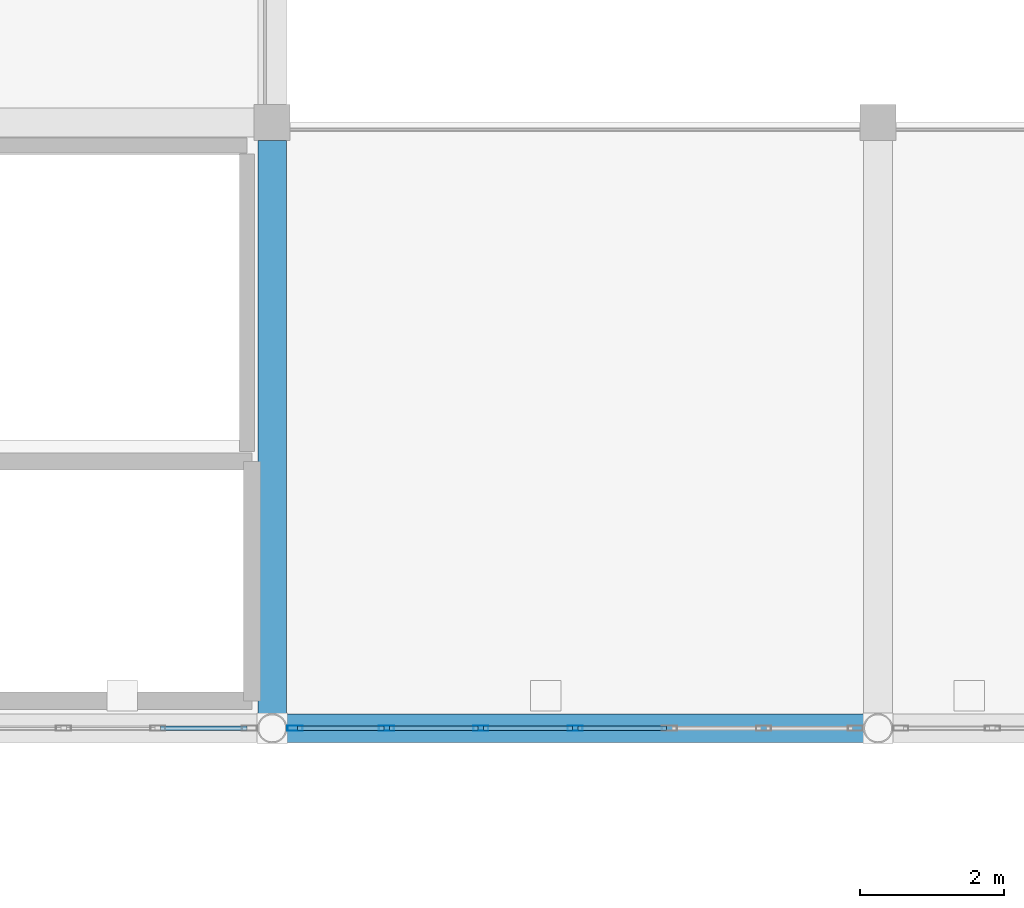
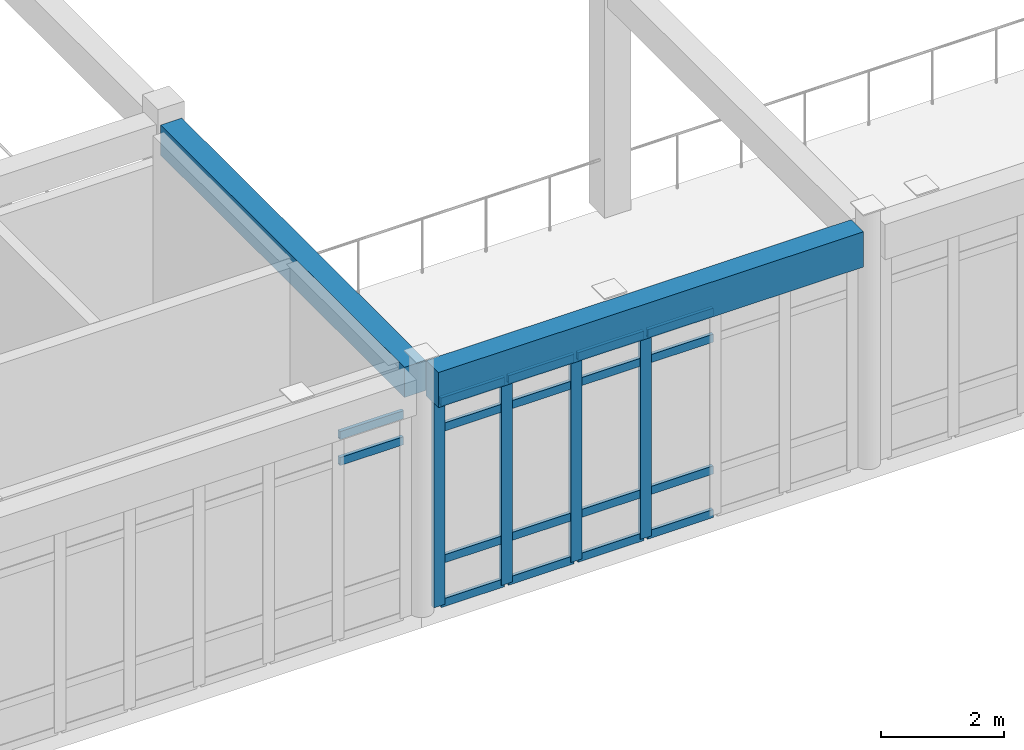
# One storey, part 10 of 134: 22 members, 2 beams, 2 elements without a shape of their own.
"""IFC4 building model written with IfcOpenShell, lengths in metres."""

from ifc_helpers import new_model, si_unit, direction, frame, origin, origin_2d, place, context, subcontext, project, spatial, rectangle, hollow_rectangle, extrude, material, layer, layer_set, material_profile, profile_set, type_object, element, aggregate, save


model = new_model("IFC4")

# Units and contexts
model_context = context("Model", 3, precision=1e-05, world=origin(), true_north=direction((0.0, 1.0)))
body_context = subcontext(model_context, "Body", "Model", "MODEL_VIEW")
ifc_project = project(units=[si_unit("LENGTHUNIT", "METRE"), si_unit("AREAUNIT", "SQUARE_METRE"), si_unit("VOLUMEUNIT", "CUBIC_METRE"), si_unit("PLANEANGLEUNIT", "RADIAN"), si_unit("MASSUNIT", "GRAM", prefix="KILO")], contexts=[model_context])

# Site, building, storey
site_placement = place(None, origin())
site = spatial("IfcSite", under=ifc_project, at=site_placement, CompositionType="ELEMENT")
building_placement = place(site_placement, origin())
building = spatial("IfcBuilding", under=site, at=building_placement, Name="Bramfleet General Hospital", CompositionType="ELEMENT")
storey_placement = place(building_placement, frame((0.0, 0.0, 9.300048828125)))
storey = spatial("IfcBuildingStorey", under=building, at=storey_placement, Name="L02", CompositionType="ELEMENT", Elevation=9.300048828125)

# Beams
ifc_material_1 = material(Name="Concrete C35/45", Category="concrete")
ifc_material_profile_1 = material_profile(ifc_material_1, rectangle(XDim=0.39990234375, YDim=0.60009765625, at=origin_2d()), Name="RC BM 600x400")
ifc_profile_set_1 = profile_set([ifc_material_profile_1], Name="Concrete C35/45")
beam_type_1 = type_object("IfcBeamType", Name="BM-RC600", PredefinedType="BEAM", material=ifc_profile_set_1)
beam_1_placement = place(storey_placement, frame((58.800048828125, 17.003173828125, 4.47998046875), z_axis=(0.0, 1.0, 0.0), x_axis=(-1.0, 0.0, 0.0)))
element("IfcBeam", 1, at=beam_1_placement, inside=storey, type_object=beam_type_1, Name="L02 Grid Beam Y 07-02", PredefinedType="BEAM", context=body_context, shape_type="SweptSolid", body=[
    extrude(rectangle(XDim=0.39990234375, YDim=0.60009765625, at=origin_2d()), origin(), (0.0, 0.0, 1.0), 7.94677734375),
])
ifc_material_profile_2 = material_profile(ifc_material_1, rectangle(XDim=0.39990234375, YDim=0.699951171875, at=origin_2d()), Name="RC SP 700x400")
ifc_profile_set_2 = profile_set([ifc_material_profile_2], Name="Concrete C35/45")
beam_type_2 = type_object("IfcBeamType", Name="BM-SP700", PredefinedType="SPANDREL", material=ifc_profile_set_2)
beam_2_placement = place(storey_placement, frame((59.003173828125, 16.800048828125, 4.429931640625), z_axis=(1.0, 0.0, 0.0), x_axis=(0.0, 1.0, 0.0)))
element("IfcBeam", 2, at=beam_2_placement, inside=storey, type_object=beam_type_2, Name="L02 Grid Beam X 07-02", PredefinedType="SPANDREL", context=body_context, shape_type="SweptSolid", body=[
    extrude(rectangle(XDim=0.39990234375, YDim=0.699951171875, at=origin_2d()), origin(), (0.0, 0.0, 1.0), 7.99365234375),
])

# Curtain wall, members
ifc_material_2 = material(Name="Anodised aluminium and low-E triple glazing", Category="aluminium")
ifc_layer_1 = layer(ifc_material_2, 0.179931640625, Name="CWT-CW-06")
ifc_layer_set_1 = layer_set([ifc_layer_1], Name="Anodised aluminium and low-E triple glazing")
curtain_wall_type_1 = type_object("IfcCurtainWallType", Name="CWT-CW-06", PredefinedType="USERDEFINED", material=ifc_layer_set_1)
curtain_wall_1_placement = place(storey_placement, origin())
curtain_wall_1 = element("IfcCurtainWall", 3, at=curtain_wall_1_placement, inside=storey, type_object=curtain_wall_type_1, Name="L02 Curtain Wall 132", ObjectType="Unitised curtain wall", PredefinedType="USERDEFINED")
ifc_material_3 = material(Name="Anodised aluminium EN AW-6060", Category="aluminium")
ifc_material_profile_3 = material_profile(ifc_material_3, hollow_rectangle(XDim=0.074951171875, YDim=0.2099609375, WallThickness=0.00439453125, at=origin_2d()), Name="ALU 210x75x4.5")
ifc_profile_set_3 = profile_set([ifc_material_profile_3], Name="Anodised aluminium EN AW-6060")
member_type_1 = type_object("IfcMemberType", Name="CWM-ALU210", PredefinedType="MULLION", material=ifc_profile_set_3)
member_1_placement = place(storey_placement, frame((63.0, 16.800048828125, 0.0), z_axis=(0.0, 0.0, 1.0), x_axis=(0.0, -1.0, 0.0)))
member_1 = element("IfcMember", 4, at=member_1_placement, type_object=member_type_1, Name="CW-06 mullion 4", PredefinedType="MULLION", context=body_context, shape_type="SweptSolid", body=[
    extrude(hollow_rectangle(XDim=0.074951171875, YDim=0.2099609375, WallThickness=0.00439453125, at=origin_2d()), origin(), (0.0, 0.0, 1.0), 4.070068359375),
])
member_2_placement = place(storey_placement, frame((61.692626953125, 16.800048828125, 0.0), z_axis=(0.0, 0.0, 1.0), x_axis=(0.0, -1.0, 0.0)))
member_2 = element("IfcMember", 5, at=member_2_placement, type_object=member_type_1, Name="CW-06 mullion 5", PredefinedType="MULLION", context=body_context, shape_type="SweptSolid", body=[
    extrude(hollow_rectangle(XDim=0.074951171875, YDim=0.2099609375, WallThickness=0.00439453125, at=origin_2d()), origin(), (0.0, 0.0, 1.0), 4.070068359375),
])
member_3_placement = place(storey_placement, frame((60.38525390625, 16.800048828125, 0.0), z_axis=(0.0, 0.0, 1.0), x_axis=(0.0, -1.0, 0.0)))
member_3 = element("IfcMember", 6, at=member_3_placement, type_object=member_type_1, Name="CW-06 mullion 6", PredefinedType="MULLION", context=body_context, shape_type="SweptSolid", body=[
    extrude(hollow_rectangle(XDim=0.074951171875, YDim=0.2099609375, WallThickness=0.00439453125, at=origin_2d()), origin(), (0.0, 0.0, 1.0), 4.070068359375),
])
member_4_placement = place(storey_placement, frame((59.115478515625, 16.800048828125, 0.0), z_axis=(0.0, 0.0, 1.0), x_axis=(0.0, -1.0, 0.0)))
member_4 = element("IfcMember", 7, at=member_4_placement, type_object=member_type_1, Name="CW-06 mullion 7", PredefinedType="MULLION", context=body_context, shape_type="SweptSolid", body=[
    extrude(hollow_rectangle(XDim=0.074951171875, YDim=0.2099609375, WallThickness=0.00439453125, at=origin_2d()), origin(), (0.0, 0.0, 1.0), 4.070068359375),
])
ifc_material_profile_4 = material_profile(ifc_material_3, hollow_rectangle(XDim=0.06494140625, YDim=0.159912109375, WallThickness=0.00390625, at=origin_2d()), Name="ALU 160x65x4.0")
ifc_profile_set_4 = profile_set([ifc_material_profile_4], Name="Anodised aluminium EN AW-6060")
member_type_2 = type_object("IfcMemberType", Name="CWT-ALU160", PredefinedType="USERDEFINED", material=ifc_profile_set_4)
member_5_placement = place(storey_placement, frame((64.269775390625, 16.800048828125, 0.032470703125), z_axis=(-1.0, 0.0, 0.0), x_axis=(0.0, -1.0, 0.0)))
member_5 = element("IfcMember", 8, at=member_5_placement, type_object=member_type_2, Name="CW-06 transom 3.1", ObjectType="TRANSOM", PredefinedType="USERDEFINED", context=body_context, shape_type="SweptSolid", body=[
    extrude(hollow_rectangle(XDim=0.06494140625, YDim=0.159912109375, WallThickness=0.00390625, at=origin_2d()), origin(), (0.0, 0.0, 1.0), 1.232177734375),
])
member_6_placement = place(storey_placement, frame((64.269775390625, 16.800048828125, 0.89990234375), z_axis=(-1.0, 0.0, 0.0), x_axis=(0.0, -1.0, 0.0)))
member_6 = element("IfcMember", 9, at=member_6_placement, type_object=member_type_2, Name="CW-06 transom 3.2", ObjectType="TRANSOM", PredefinedType="USERDEFINED", context=body_context, shape_type="SweptSolid", body=[
    extrude(hollow_rectangle(XDim=0.06494140625, YDim=0.159912109375, WallThickness=0.00390625, at=origin_2d()), origin(), (0.0, 0.0, 1.0), 1.232177734375),
])
member_7_placement = place(storey_placement, frame((64.269775390625, 16.800048828125, 3.52001953125), z_axis=(-1.0, 0.0, 0.0), x_axis=(0.0, -1.0, 0.0)))
member_7 = element("IfcMember", 10, at=member_7_placement, type_object=member_type_2, Name="CW-06 transom 3.3", ObjectType="TRANSOM", PredefinedType="USERDEFINED", context=body_context, shape_type="SweptSolid", body=[
    extrude(hollow_rectangle(XDim=0.06494140625, YDim=0.159912109375, WallThickness=0.00390625, at=origin_2d()), origin(), (0.0, 0.0, 1.0), 1.232177734375),
])
member_8_placement = place(storey_placement, frame((64.269775390625, 16.800048828125, 4.037353515625), z_axis=(-1.0, 0.0, 0.0), x_axis=(0.0, -1.0, 0.0)))
member_8 = element("IfcMember", 11, at=member_8_placement, type_object=member_type_2, Name="CW-06 transom 3.4", ObjectType="TRANSOM", PredefinedType="USERDEFINED", context=body_context, shape_type="SweptSolid", body=[
    extrude(hollow_rectangle(XDim=0.06494140625, YDim=0.159912109375, WallThickness=0.00390625, at=origin_2d()), origin(), (0.0, 0.0, 1.0), 1.232177734375),
])
member_9_placement = place(storey_placement, frame((62.96240234375, 16.800048828125, 0.032470703125), z_axis=(-1.0, 0.0, 0.0), x_axis=(0.0, -1.0, 0.0)))
member_9 = element("IfcMember", 12, at=member_9_placement, type_object=member_type_2, Name="CW-06 transom 4.1", ObjectType="TRANSOM", PredefinedType="USERDEFINED", context=body_context, shape_type="SweptSolid", body=[
    extrude(hollow_rectangle(XDim=0.06494140625, YDim=0.159912109375, WallThickness=0.00390625, at=origin_2d()), origin(), (0.0, 0.0, 1.0), 1.232177734375),
])
member_10_placement = place(storey_placement, frame((62.96240234375, 16.800048828125, 0.89990234375), z_axis=(-1.0, 0.0, 0.0), x_axis=(0.0, -1.0, 0.0)))
member_10 = element("IfcMember", 13, at=member_10_placement, type_object=member_type_2, Name="CW-06 transom 4.2", ObjectType="TRANSOM", PredefinedType="USERDEFINED", context=body_context, shape_type="SweptSolid", body=[
    extrude(hollow_rectangle(XDim=0.06494140625, YDim=0.159912109375, WallThickness=0.00390625, at=origin_2d()), origin(), (0.0, 0.0, 1.0), 1.232177734375),
])
member_11_placement = place(storey_placement, frame((62.96240234375, 16.800048828125, 3.52001953125), z_axis=(-1.0, 0.0, 0.0), x_axis=(0.0, -1.0, 0.0)))
member_11 = element("IfcMember", 14, at=member_11_placement, type_object=member_type_2, Name="CW-06 transom 4.3", ObjectType="TRANSOM", PredefinedType="USERDEFINED", context=body_context, shape_type="SweptSolid", body=[
    extrude(hollow_rectangle(XDim=0.06494140625, YDim=0.159912109375, WallThickness=0.00390625, at=origin_2d()), origin(), (0.0, 0.0, 1.0), 1.232177734375),
])
member_12_placement = place(storey_placement, frame((62.96240234375, 16.800048828125, 4.037353515625), z_axis=(-1.0, 0.0, 0.0), x_axis=(0.0, -1.0, 0.0)))
member_12 = element("IfcMember", 15, at=member_12_placement, type_object=member_type_2, Name="CW-06 transom 4.4", ObjectType="TRANSOM", PredefinedType="USERDEFINED", context=body_context, shape_type="SweptSolid", body=[
    extrude(hollow_rectangle(XDim=0.06494140625, YDim=0.159912109375, WallThickness=0.00390625, at=origin_2d()), origin(), (0.0, 0.0, 1.0), 1.232177734375),
])
member_13_placement = place(storey_placement, frame((61.6552734375, 16.800048828125, 0.032470703125), z_axis=(-1.0, 0.0, 0.0), x_axis=(0.0, -1.0, 0.0)))
member_13 = element("IfcMember", 16, at=member_13_placement, type_object=member_type_2, Name="CW-06 transom 5.1", ObjectType="TRANSOM", PredefinedType="USERDEFINED", context=body_context, shape_type="SweptSolid", body=[
    extrude(hollow_rectangle(XDim=0.06494140625, YDim=0.159912109375, WallThickness=0.00390625, at=origin_2d()), origin(), (0.0, 0.0, 1.0), 1.232421875),
])
member_14_placement = place(storey_placement, frame((61.6552734375, 16.800048828125, 0.89990234375), z_axis=(-1.0, 0.0, 0.0), x_axis=(0.0, -1.0, 0.0)))
member_14 = element("IfcMember", 17, at=member_14_placement, type_object=member_type_2, Name="CW-06 transom 5.2", ObjectType="TRANSOM", PredefinedType="USERDEFINED", context=body_context, shape_type="SweptSolid", body=[
    extrude(hollow_rectangle(XDim=0.06494140625, YDim=0.159912109375, WallThickness=0.00390625, at=origin_2d()), origin(), (0.0, 0.0, 1.0), 1.232421875),
])
member_15_placement = place(storey_placement, frame((61.6552734375, 16.800048828125, 3.52001953125), z_axis=(-1.0, 0.0, 0.0), x_axis=(0.0, -1.0, 0.0)))
member_15 = element("IfcMember", 18, at=member_15_placement, type_object=member_type_2, Name="CW-06 transom 5.3", ObjectType="TRANSOM", PredefinedType="USERDEFINED", context=body_context, shape_type="SweptSolid", body=[
    extrude(hollow_rectangle(XDim=0.06494140625, YDim=0.159912109375, WallThickness=0.00390625, at=origin_2d()), origin(), (0.0, 0.0, 1.0), 1.232421875),
])
member_16_placement = place(storey_placement, frame((61.6552734375, 16.800048828125, 4.037353515625), z_axis=(-1.0, 0.0, 0.0), x_axis=(0.0, -1.0, 0.0)))
member_16 = element("IfcMember", 19, at=member_16_placement, type_object=member_type_2, Name="CW-06 transom 5.4", ObjectType="TRANSOM", PredefinedType="USERDEFINED", context=body_context, shape_type="SweptSolid", body=[
    extrude(hollow_rectangle(XDim=0.06494140625, YDim=0.159912109375, WallThickness=0.00390625, at=origin_2d()), origin(), (0.0, 0.0, 1.0), 1.232421875),
])
member_17_placement = place(storey_placement, frame((60.347900390625, 16.800048828125, 0.032470703125), z_axis=(-1.0, 0.0, 0.0), x_axis=(0.0, -1.0, 0.0)))
member_17 = element("IfcMember", 20, at=member_17_placement, type_object=member_type_2, Name="CW-06 transom 6.1", ObjectType="TRANSOM", PredefinedType="USERDEFINED", context=body_context, shape_type="SweptSolid", body=[
    extrude(hollow_rectangle(XDim=0.06494140625, YDim=0.159912109375, WallThickness=0.00390625, at=origin_2d()), origin(), (0.0, 0.0, 1.0), 1.19482421875),
])
member_18_placement = place(storey_placement, frame((60.347900390625, 16.800048828125, 0.89990234375), z_axis=(-1.0, 0.0, 0.0), x_axis=(0.0, -1.0, 0.0)))
member_18 = element("IfcMember", 21, at=member_18_placement, type_object=member_type_2, Name="CW-06 transom 6.2", ObjectType="TRANSOM", PredefinedType="USERDEFINED", context=body_context, shape_type="SweptSolid", body=[
    extrude(hollow_rectangle(XDim=0.06494140625, YDim=0.159912109375, WallThickness=0.00390625, at=origin_2d()), origin(), (0.0, 0.0, 1.0), 1.19482421875),
])
member_19_placement = place(storey_placement, frame((60.347900390625, 16.800048828125, 3.52001953125), z_axis=(-1.0, 0.0, 0.0), x_axis=(0.0, -1.0, 0.0)))
member_19 = element("IfcMember", 22, at=member_19_placement, type_object=member_type_2, Name="CW-06 transom 6.3", ObjectType="TRANSOM", PredefinedType="USERDEFINED", context=body_context, shape_type="SweptSolid", body=[
    extrude(hollow_rectangle(XDim=0.06494140625, YDim=0.159912109375, WallThickness=0.00390625, at=origin_2d()), origin(), (0.0, 0.0, 1.0), 1.19482421875),
])
member_20_placement = place(storey_placement, frame((60.347900390625, 16.800048828125, 4.037353515625), z_axis=(-1.0, 0.0, 0.0), x_axis=(0.0, -1.0, 0.0)))
member_20 = element("IfcMember", 23, at=member_20_placement, type_object=member_type_2, Name="CW-06 transom 6.4", ObjectType="TRANSOM", PredefinedType="USERDEFINED", context=body_context, shape_type="SweptSolid", body=[
    extrude(hollow_rectangle(XDim=0.06494140625, YDim=0.159912109375, WallThickness=0.00390625, at=origin_2d()), origin(), (0.0, 0.0, 1.0), 1.19482421875),
])
aggregate(curtain_wall_1, [member_1, member_2, member_3, member_4, member_5, member_6, member_7, member_8, member_9, member_10, member_11, member_12, member_13, member_14, member_15, member_16, member_17, member_18, member_19, member_20])

ifc_layer_2 = layer(ifc_material_2, 0.179931640625, Name="CWT-CW-07")
ifc_layer_set_2 = layer_set([ifc_layer_2], Name="Anodised aluminium and low-E triple glazing")
curtain_wall_type_2 = type_object("IfcCurtainWallType", Name="CWT-CW-07", PredefinedType="USERDEFINED", material=ifc_layer_set_2)
curtain_wall_2_placement = place(storey_placement, origin())
curtain_wall_2 = element("IfcCurtainWall", 24, at=curtain_wall_2_placement, inside=storey, type_object=curtain_wall_type_2, Name="L02 Curtain Wall 133", ObjectType="Unitised curtain wall", PredefinedType="USERDEFINED")
member_21_placement = place(storey_placement, frame((58.447021484375, 16.800048828125, 3.52001953125), z_axis=(-1.0, 0.0, 0.0), x_axis=(0.0, -1.0, 0.0)))
member_21 = element("IfcMember", 25, at=member_21_placement, type_object=member_type_2, Name="CW-07 transom 1.3", ObjectType="TRANSOM", PredefinedType="USERDEFINED", context=body_context, shape_type="SweptSolid", body=[
    extrude(hollow_rectangle(XDim=0.06494140625, YDim=0.159912109375, WallThickness=0.00390625, at=origin_2d()), origin(), (0.0, 0.0, 1.0), 1.19482421875),
])
member_22_placement = place(storey_placement, frame((58.447021484375, 16.800048828125, 4.037353515625), z_axis=(-1.0, 0.0, 0.0), x_axis=(0.0, -1.0, 0.0)))
member_22 = element("IfcMember", 26, at=member_22_placement, type_object=member_type_2, Name="CW-07 transom 1.4", ObjectType="TRANSOM", PredefinedType="USERDEFINED", context=body_context, shape_type="SweptSolid", body=[
    extrude(hollow_rectangle(XDim=0.06494140625, YDim=0.159912109375, WallThickness=0.00390625, at=origin_2d()), origin(), (0.0, 0.0, 1.0), 1.19482421875),
])
aggregate(curtain_wall_2, [member_21, member_22])

save(model, "model.ifc")
